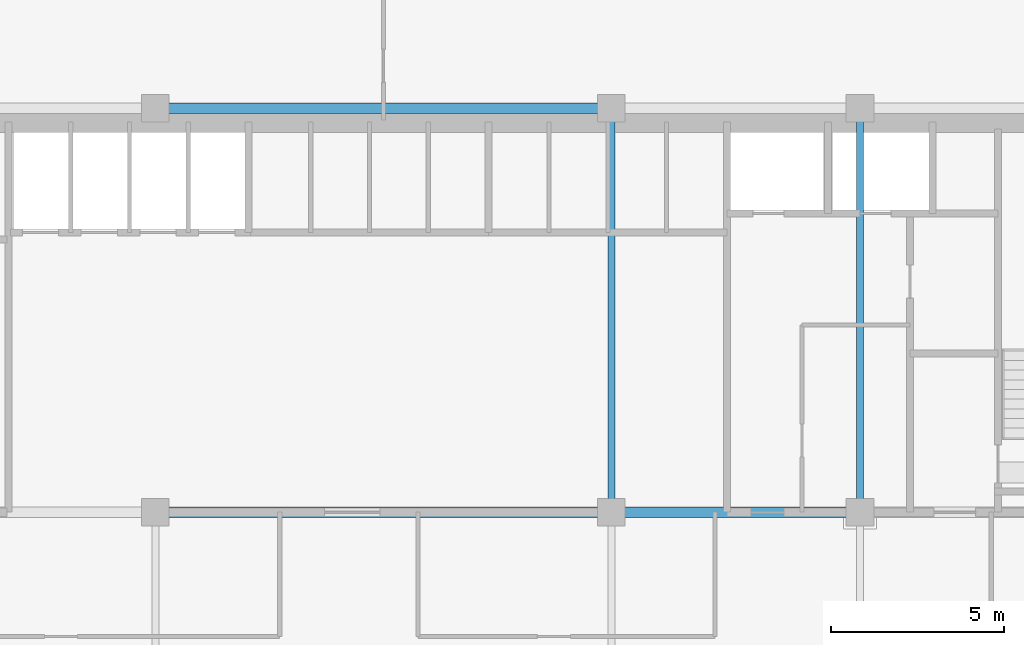
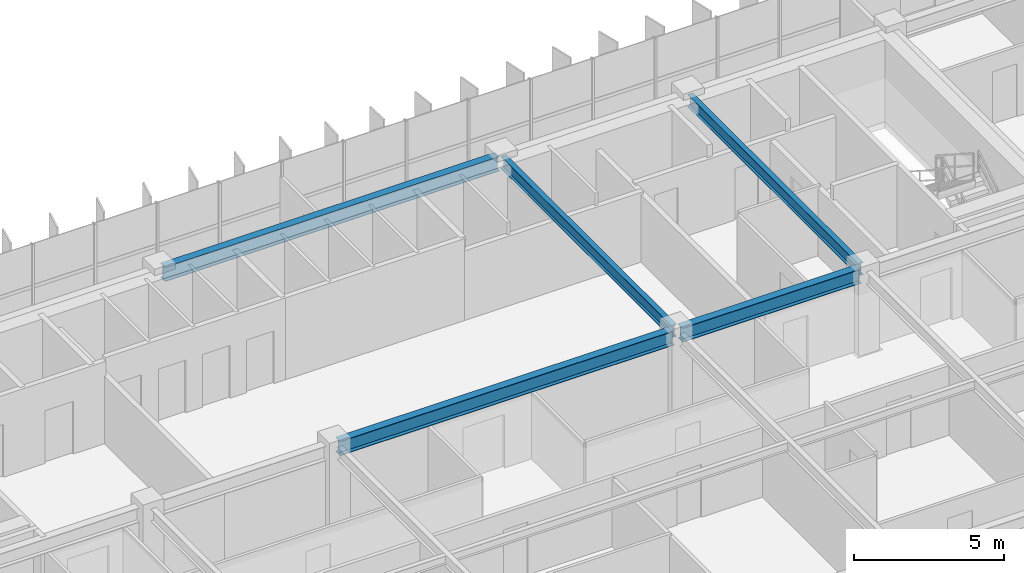
# One storey, part 8 of 22: 5 beams.
"""IFC4 building model written with IfcOpenShell, lengths in metres."""

import ifcopenshell
import ifcopenshell.guid

model = None  # the IFC model being written
_history = None  # IfcOwnerHistory: only IFC2X3 demands one
_inside = {}  # id of a spatial element -> (the spatial element, [elements in it])
_under = {}  # id of a project, library or spatial element -> (it, [spatial elements below it])
_declared = {}  # id of a project -> (the project, [libraries it declares])
_typed = {}  # id of a type object -> (the type object, [elements of that type])
_made_of = {}  # id of a material, layer set ... -> (it, [elements and type objects made of it])


def new_model(schema):
    """Start an empty IFC model of exactly this schema.

    Asked for "IFC4X3", IfcOpenShell would pick the latest addendum, in which some entities
    have other attributes; the version numbers below select the first issue.
    IFC2X3 requires an IfcOwnerHistory on every rooted entity: one is made here for all.
    """
    global model, _history
    if schema == "IFC4X3":
        model = ifcopenshell.file(schema_version=(4, 3, 0, 0))
    else:
        model = ifcopenshell.file(schema=schema)
    _inside.clear()
    _under.clear()
    _declared.clear()
    _typed.clear()
    _made_of.clear()
    _history = None
    if model.schema == "IFC2X3":
        org = make("IfcOrganization", Name="unknown")
        user = make(
            "IfcPersonAndOrganization",
            ThePerson=make("IfcPerson", FamilyName="unknown"),
            TheOrganization=org,
        )
        app = make(
            "IfcApplication",
            ApplicationDeveloper=org,
            Version="unknown",
            ApplicationFullName="unknown",
            ApplicationIdentifier="unknown",
        )
        _history = make(
            "IfcOwnerHistory",
            OwningUser=user,
            OwningApplication=app,
            ChangeAction="ADDED",
            CreationDate=0,
        )
    return model


def make(cls, **values):
    """One entity of the class cls with the attributes given. An attribute that is None is left unset."""
    return model.create_entity(
        cls, **{name: value for name, value in values.items() if value is not None}
    )


def rooted(cls, **values):
    """An entity with a GlobalId (a new one), such as an element, a storey or a relation."""
    return make(cls, GlobalId=ifcopenshell.guid.new(), OwnerHistory=_history, **values)


def si_unit(unit_type, name, prefix=None):
    """IfcSIUnit, for example si_unit("LENGTHUNIT", "METRE", prefix="MILLI")."""
    return make("IfcSIUnit", UnitType=unit_type, Prefix=prefix, Name=name)


def assignment(units):
    """IfcUnitAssignment: the units of a project."""
    return None if units is None else make("IfcUnitAssignment", Units=units)


def point(xyz):
    """IfcCartesianPoint."""
    return None if xyz is None else make("IfcCartesianPoint", Coordinates=xyz)


def direction(xyz):
    """IfcDirection."""
    return None if xyz is None else make("IfcDirection", DirectionRatios=xyz)


def frame(location, z_axis=None, x_axis=None):
    """IfcAxis2Placement3D, a coordinate frame: its origin and axes. An axis left out is left unset."""
    return make(
        "IfcAxis2Placement3D",
        Location=point(location),
        Axis=direction(z_axis),
        RefDirection=direction(x_axis),
    )


def frame_2d(location, x_axis=None):
    """IfcAxis2Placement2D, a coordinate frame in the plane: its origin and x axis."""
    return make(
        "IfcAxis2Placement2D", Location=point(location), RefDirection=direction(x_axis)
    )


def origin():
    """The frame at (0, 0, 0) with its axes left unset."""
    return frame((0.0, 0.0, 0.0))


def origin_2d():
    """The frame at (0, 0) in the plane with its x axis left unset."""
    return frame_2d((0.0, 0.0))


def place(relative_to, where):
    """IfcLocalPlacement: puts the frame where relative to a parent placement (None: the world)."""
    return make(
        "IfcLocalPlacement", PlacementRelTo=relative_to, RelativePlacement=where
    )


def context(
    kind, dimensions, precision=None, world=None, true_north=None, identifier=None
):
    """IfcGeometricRepresentationContext, for example the 3D "Model" context."""
    return make(
        "IfcGeometricRepresentationContext",
        ContextIdentifier=identifier,
        ContextType=kind,
        CoordinateSpaceDimension=dimensions,
        Precision=precision,
        WorldCoordinateSystem=world,
        TrueNorth=true_north,
    )


def subcontext(parent, identifier, kind, view, scale=None):
    """IfcGeometricRepresentationSubContext, for example "Body" below "Model"."""
    return make(
        "IfcGeometricRepresentationSubContext",
        ContextIdentifier=identifier,
        ContextType=kind,
        ParentContext=parent,
        TargetScale=scale,
        TargetView=view,
    )


def project(units=None, contexts=None):
    """IfcProject with its units and contexts."""
    return rooted(
        "IfcProject",
        Name="project",
        RepresentationContexts=contexts,
        UnitsInContext=assignment(units),
    )


def spatial(cls, under=None, at=None, **own):
    """A site, building, storey or space (cls), placed at a placement, below another one or the project."""
    s = rooted(cls, ObjectPlacement=at, **own)
    if under is not None:
        _under.setdefault(under.id(), (under, []))[1].append(s)
    return s


def profile(cls, at=None, kind="AREA", **sizes):
    """A parametric profile (cls). Its sizes go by their IFC names, for example OverallWidth=200.0."""
    return make(cls, ProfileType=kind, Position=at, **sizes)


def i_section(**sizes):
    """IfcIShapeProfileDef."""
    return profile("IfcIShapeProfileDef", **sizes)


def extrude(swept, where, along, depth):
    """IfcExtrudedAreaSolid: the profile swept, set in the frame where, extruded along a direction by depth."""
    return make(
        "IfcExtrudedAreaSolid",
        SweptArea=swept,
        Position=where,
        ExtrudedDirection=direction(along),
        Depth=depth,
    )


def shape(context_of_items, identifier, shape_type, items):
    """IfcShapeRepresentation: the items that make up one representation, for example the "Body"."""
    return make(
        "IfcShapeRepresentation",
        ContextOfItems=context_of_items,
        RepresentationIdentifier=identifier,
        RepresentationType=shape_type,
        Items=items,
    )


def source(mapping_origin, context_of_items, identifier, shape_type, items):
    """IfcRepresentationMap: a shape defined once, which mapped items show again and again."""
    return make(
        "IfcRepresentationMap",
        MappingOrigin=mapping_origin,
        MappedRepresentation=shape(context_of_items, identifier, shape_type, items),
    )


def transform(
    local_origin,
    x_axis=None,
    y_axis=None,
    z_axis=None,
    scale=None,
    scale2=None,
    scale3=None,
    uniform=True,
):
    """IfcCartesianTransformationOperator3D, or its non-uniform kind. x_axis, y_axis, z_axis: its Axis1, 2, 3."""
    if uniform:
        return make(
            "IfcCartesianTransformationOperator3D",
            Axis1=direction(x_axis),
            Axis2=direction(y_axis),
            LocalOrigin=point(local_origin),
            Scale=scale,
            Axis3=direction(z_axis),
        )
    return make(
        "IfcCartesianTransformationOperator3DnonUniform",
        Axis1=direction(x_axis),
        Axis2=direction(y_axis),
        LocalOrigin=point(local_origin),
        Scale=scale,
        Axis3=direction(z_axis),
        Scale2=scale2,
        Scale3=scale3,
    )


def mapped(mapping_source, mapping_target):
    """IfcMappedItem: shows the shape of a source again, moved by a transform."""
    return make(
        "IfcMappedItem", MappingSource=mapping_source, MappingTarget=mapping_target
    )


def material(Name=None, Category=None):
    """IfcMaterial."""
    return make("IfcMaterial", Name=Name, Category=Category)


def material_profile(
    of_material, cross_section, Name=None, Category=None, Priority=None
):
    """IfcMaterialProfile: a cross section and its material."""
    return make(
        "IfcMaterialProfile",
        Name=Name,
        Material=of_material,
        Profile=cross_section,
        Priority=Priority,
        Category=Category,
    )


def profile_set(profiles, Name=None, composite=None):
    """IfcMaterialProfileSet."""
    return make(
        "IfcMaterialProfileSet",
        Name=Name,
        MaterialProfiles=profiles,
        CompositeProfile=composite,
    )


def made_of(thing, what):
    """Note that an element or type object is made of a material, layer set ...; save() writes the relation."""
    if what is not None:
        _made_of.setdefault(what.id(), (what, []))[1].append(thing)
    return thing


def type_object(cls, material=None, **own):
    """A type object (cls), such as IfcWallType, which elements share."""
    return made_of(rooted(cls, **own), material)


def element(
    cls,
    number,
    at=None,
    inside=None,
    cuts=None,
    type_object=None,
    material=None,
    context=None,
    identifier="Body",
    shape_type=None,
    held_by="IfcProductDefinitionShape",
    body=None,
    shapes=None,
    **own,
):
    """One element of the class cls, such as IfcWall. Its Tag is "e" and its number.

    at: its placement. inside: the storey or other place that contains it. cuts: it is an
    opening in that element (IfcRelVoidsElement). A single representation is given by context,
    identifier, shape_type and body (its items); several are given by shapes. held_by: the class
    of the entity that holds the representations. save() writes the other relations.
    """
    e = rooted(cls, Tag="e%d" % number, ObjectPlacement=at, **own)
    if body is not None:
        shapes = [shape(context, identifier, shape_type, body)]
    if shapes is not None:
        e.Representation = make(held_by, Representations=shapes)
    if inside is not None:
        _inside.setdefault(inside.id(), (inside, []))[1].append(e)
    if cuts is not None:
        rooted(
            "IfcRelVoidsElement", RelatingBuildingElement=cuts, RelatedOpeningElement=e
        )
    if type_object is not None:
        _typed.setdefault(type_object.id(), (type_object, []))[1].append(e)
    return made_of(e, material)


def aggregate(whole, parts):
    """IfcRelAggregates: a whole, such as a stair, and the parts it consists of."""
    return rooted("IfcRelAggregates", RelatingObject=whole, RelatedObjects=parts)


def save(model, path):
    """Write the relations noted so far, then the file.

    IfcRelAggregates (storeys below a building ...), IfcRelContainedInSpatialStructure (elements
    in a storey), IfcRelDefinesByType, IfcRelAssociatesMaterial and IfcRelDeclares: one each for
    every whole, place, type object, material and project.
    """
    for whole, parts in _under.values():
        aggregate(whole, parts)
    for where, things in _inside.values():
        rooted(
            "IfcRelContainedInSpatialStructure",
            RelatedElements=things,
            RelatingStructure=where,
        )
    for kind, things in _typed.values():
        rooted("IfcRelDefinesByType", RelatedObjects=things, RelatingType=kind)
    for what, things in _made_of.values():
        rooted("IfcRelAssociatesMaterial", RelatedObjects=things, RelatingMaterial=what)
    for by, libraries in _declared.values():
        rooted("IfcRelDeclares", RelatingContext=by, RelatedDefinitions=libraries)
    model.write(path)


model = new_model("IFC4")

# Units and contexts
model_context = context("Model", 3, precision=1e-05, world=origin(), true_north=direction((0.0, 1.0)))
body_context = subcontext(model_context, "Body", "Model", "MODEL_VIEW")
ifc_project = project(units=[si_unit("LENGTHUNIT", "METRE"), si_unit("AREAUNIT", "SQUARE_METRE"), si_unit("VOLUMEUNIT", "CUBIC_METRE"), si_unit("PLANEANGLEUNIT", "RADIAN"), si_unit("MASSUNIT", "GRAM", prefix="KILO")], contexts=[model_context])

# Site, building, storey
site_placement = place(None, origin())
site = spatial("IfcSite", under=ifc_project, at=site_placement, CompositionType="ELEMENT")
building_placement = place(site_placement, origin())
building = spatial("IfcBuilding", under=site, at=building_placement, Name="Trelvane Seafront Commons", CompositionType="ELEMENT")
storey_placement = place(building_placement, frame((0.0, 0.0, 121.300048828125)))
storey = spatial("IfcBuildingStorey", under=building, at=storey_placement, Name="L31", CompositionType="ELEMENT", Elevation=121.300048828125)

# Beams
ifc_material = material(Name="Steel SM355 (S355)", Category="steel")
ifc_material_profile_1 = material_profile(ifc_material, i_section(OverallWidth=0.300048828125, OverallDepth=0.587890625, WebThickness=0.011962890625, FlangeThickness=0.02001953125, at=origin_2d()), Name="H-588x300x12x20")
ifc_profile_set_1 = profile_set([ifc_material_profile_1], Name="Steel SM355 (S355)")
beam_type_1 = type_object("IfcBeamType", Name="STR-BM-H588", PredefinedType="BEAM", material=ifc_profile_set_1)
shared_shape_1 = source(origin(), body_context, "Body", "SweptSolid", [
    extrude(i_section(OverallWidth=0.300048828125, OverallDepth=0.587890625, WebThickness=0.011962890625, FlangeThickness=0.02001953125, at=origin_2d()), origin(), (0.0, 0.0, 1.0), 12.89990234375),
])
for number, where, z_axis, x_axis, name in (
    (1, (30.75, 33.39990234375, 3.0458984375), (1.0, 0.0, 0.0), (0.0, 1.0, 0.0), "L31 Primary Girder G-23"),
    (2, (30.75, 45.10009765625, 3.0458984375), (1.0, 0.0, 0.0), (0.0, 1.0, 0.0), "L31 Primary Girder G-32"),
):
    element("IfcBeam", number, at=place(storey_placement, frame(where, z_axis=z_axis, x_axis=x_axis)), inside=storey, type_object=beam_type_1, Name=name, PredefinedType="BEAM", context=body_context, shape_type="MappedRepresentation", body=[
        mapped(shared_shape_1, transform((0.0, 0.0, 0.0), x_axis=(1.0, 0.0, 0.0), y_axis=(0.0, 1.0, 0.0), z_axis=(0.0, 0.0, 1.0), scale=1.0)),
    ])
shared_shape_2 = source(origin(), body_context, "Body", "SweptSolid", [
    extrude(i_section(OverallWidth=0.300048828125, OverallDepth=0.587890625, WebThickness=0.011962890625, FlangeThickness=0.02001953125, at=origin_2d()), origin(), (0.0, 0.0, 1.0), 6.900146484375),
])
beam_placement = place(storey_placement, frame((43.949951171875, 33.39990234375, 3.0458984375), z_axis=(1.0, 0.0, 0.0), x_axis=(0.0, 1.0, 0.0)))
element("IfcBeam", 3, at=beam_placement, inside=storey, type_object=beam_type_1, Name="L31 Primary Girder G-24", PredefinedType="BEAM", context=body_context, shape_type="MappedRepresentation", body=[
    mapped(shared_shape_2, transform((0.0, 0.0, 0.0), x_axis=(1.0, 0.0, 0.0), y_axis=(0.0, 1.0, 0.0), z_axis=(0.0, 0.0, 1.0), scale=1.0)),
])
ifc_material_profile_2 = material_profile(ifc_material, i_section(OverallWidth=0.199951171875, OverallDepth=0.5, WebThickness=0.010009765625, FlangeThickness=0.01611328125, at=origin_2d()), Name="H-500x200x10x16")
ifc_profile_set_2 = profile_set([ifc_material_profile_2], Name="Steel SM355 (S355)")
beam_type_2 = type_object("IfcBeamType", Name="STR-BM-H500", PredefinedType="BEAM", material=ifc_profile_set_2)
shared_shape_3 = source(origin(), body_context, "Body", "SweptSolid", [
    extrude(i_section(OverallWidth=0.199951171875, OverallDepth=0.5, WebThickness=0.010009765625, FlangeThickness=0.01611328125, at=origin_2d()), origin(), (0.0, 0.0, 1.0), 11.39990234375),
])
for number, where, z_axis, x_axis, name in (
    (4, (43.800048828125, 33.550048828125, 3.08984375), (0.0, 1.0, 0.0), (-1.0, 0.0, 0.0), "L31 Primary Girder G-54"),
    (5, (51.0, 33.550048828125, 3.08984375), (0.0, 1.0, 0.0), (-1.0, 0.0, 0.0), "L31 Primary Girder G-57"),
):
    element("IfcBeam", number, at=place(storey_placement, frame(where, z_axis=z_axis, x_axis=x_axis)), inside=storey, type_object=beam_type_2, Name=name, PredefinedType="BEAM", context=body_context, shape_type="MappedRepresentation", body=[
        mapped(shared_shape_3, transform((0.0, 0.0, 0.0), x_axis=(1.0, 0.0, 0.0), y_axis=(0.0, 1.0, 0.0), z_axis=(0.0, 0.0, 1.0), scale=1.0)),
    ])

save(model, "model.ifc")
